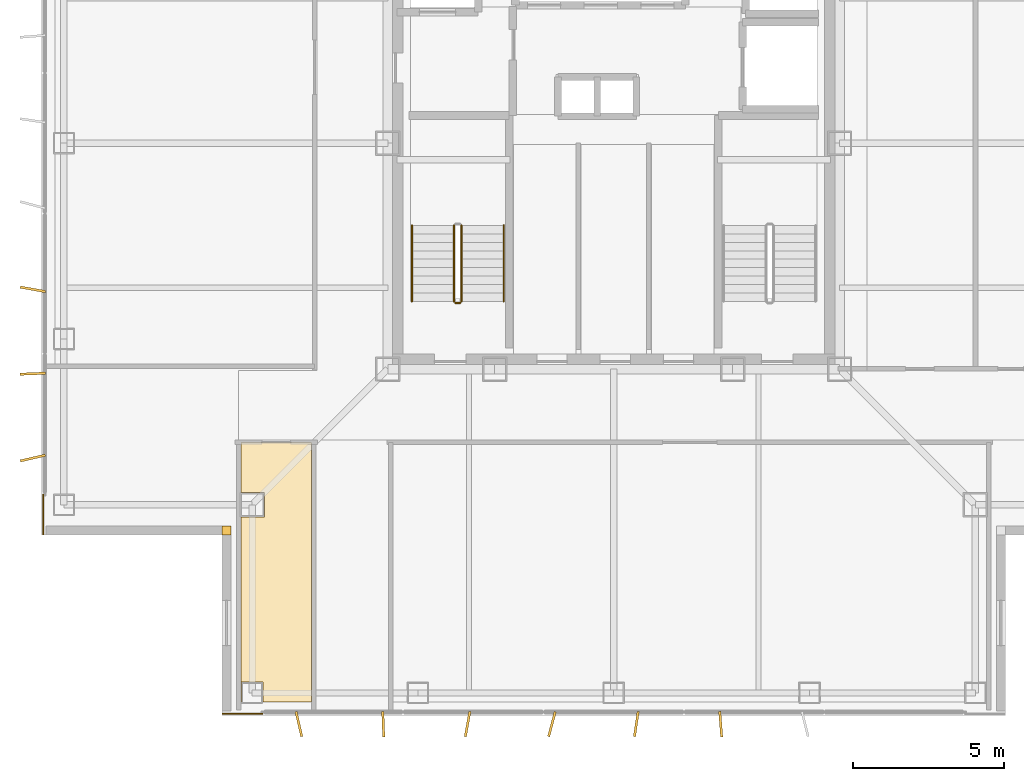
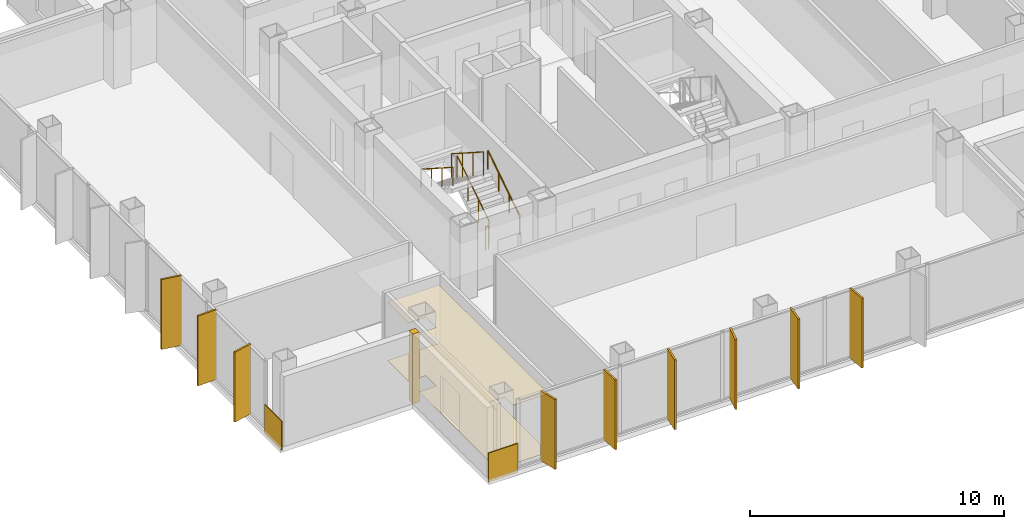
# One storey, part 10 of 15: 9 shading devices, 5 coverings, 5 railings.
"""IFC4 building model written with IfcOpenShell, lengths in metres."""

from ifc_helpers import new_model, si_unit, direction, frame, frame_2d, origin, origin_2d, place, context, subcontext, project, spatial, polyline, rectangle, circle, outline, extrude, material, layer, layer_set, type_object, element, save


model = new_model("IFC4")

# Units and contexts
model_context = context("Model", 3, precision=1e-05, world=origin(), true_north=direction((0.0, 1.0)))
body_context = subcontext(model_context, "Body", "Model", "MODEL_VIEW")
ifc_project = project(units=[si_unit("LENGTHUNIT", "METRE"), si_unit("AREAUNIT", "SQUARE_METRE"), si_unit("VOLUMEUNIT", "CUBIC_METRE"), si_unit("PLANEANGLEUNIT", "RADIAN"), si_unit("MASSUNIT", "GRAM", prefix="KILO")], contexts=[model_context])

# Site, building, storey
site_placement = place(None, origin())
site = spatial("IfcSite", under=ifc_project, at=site_placement, CompositionType="ELEMENT")
building_placement = place(site_placement, origin())
building = spatial("IfcBuilding", under=site, at=building_placement, Name="Trevonay Congress Spire", CompositionType="ELEMENT")
storey_placement = place(building_placement, frame((0.0, 0.0, 250.39990234375)))
storey = spatial("IfcBuildingStorey", under=building, at=storey_placement, Name="L65", CompositionType="ELEMENT", Elevation=250.39990234375)

# Coverings
ifc_material_1 = material(Name="Acoustic Mineral Fibre Board", Category="gypsum")
ifc_layer_1 = layer(ifc_material_1, 0.02490234375, Name="Acoustic Mineral Fibre Board")
ifc_layer_set_1 = layer_set([ifc_layer_1], Name="Acoustic Mineral Fibre Board")
covering_type_1 = type_object("IfcCoveringType", Name="COV-CEIL-ACOUSTIC", PredefinedType="CEILING", material=ifc_layer_set_1)
covering_1_placement = place(storey_placement, frame((0.0, 0.0, 2.81005859375)))
element("IfcCovering", 1, at=covering_1_placement, inside=storey, type_object=covering_type_1, Name="L65 Secretary-General Green Room acoustic suspended ceiling", PredefinedType="CEILING", context=body_context, shape_type="SweptSolid", body=[
    extrude(outline(polyline([(-12.3701171875, -18.550048828125), (-12.3701171875, -12.409912109375), (-11.590087890625, -12.409912109375), (-11.590087890625, -11.590087890625), (-12.3701171875, -11.590087890625), (-12.3701171875, -9.929931640625), (-10.030029296875, -9.929931640625), (-10.030029296875, -18.550048828125), (-11.639892578125, -18.550048828125), (-11.639892578125, -17.889892578125), (-12.360107421875, -17.889892578125), (-12.360107421875, -18.550048828125), (-12.3701171875, -18.550048828125)])), origin(), (0.0, 0.0, 1.0), 0.025146484375),
])
ifc_material_2 = material(Name="Engineered Oak Flooring", Category="wood")
ifc_layer_2 = layer(ifc_material_2, 0.01806640625, Name="Engineered Oak Flooring")
ifc_layer_set_2 = layer_set([ifc_layer_2], Name="Engineered Oak Flooring")
covering_type_2 = type_object("IfcCoveringType", Name="COV-FLOOR-TIMBER", PredefinedType="FLOORING", material=ifc_layer_set_2)
covering_2_placement = place(storey_placement, origin())
element("IfcCovering", 2, at=covering_2_placement, inside=storey, type_object=covering_type_2, Name="L65 Secretary-General Green Room floor finish", PredefinedType="FLOORING", context=body_context, shape_type="SweptSolid", body=[
    extrude(outline(polyline([(-12.3701171875, -18.550048828125), (-12.3701171875, -12.409912109375), (-11.590087890625, -12.409912109375), (-11.590087890625, -11.590087890625), (-12.3701171875, -11.590087890625), (-12.3701171875, -9.929931640625), (-10.030029296875, -9.929931640625), (-10.030029296875, -18.550048828125), (-11.639892578125, -18.550048828125), (-11.639892578125, -17.889892578125), (-12.360107421875, -17.889892578125), (-12.360107421875, -18.550048828125), (-12.3701171875, -18.550048828125)])), origin(), (0.0, 0.0, 1.0), 0.01806640625),
])
ifc_material_3 = material(Name="Pale Anodised Aluminium EN AW-6063-T6", Category="aluminium")
ifc_layer_3 = layer(ifc_material_3, 0.0400390625, Name="Pale Anodised Aluminium EN AW-6063-T6")
ifc_layer_set_3 = layer_set([ifc_layer_3], Name="Pale Anodised Aluminium EN AW-6063-T6")
covering_type_3 = type_object("IfcCoveringType", Name="COV-SPANDREL-PALE-METAL", PredefinedType="CLADDING", material=ifc_layer_set_3)
covering_3_placement = place(storey_placement, origin())
element("IfcCovering", 3, at=covering_3_placement, inside=storey, type_object=covering_type_3, Name="L65 SW re-entrant notch corner closure trim", PredefinedType="CLADDING", context=body_context, shape_type="SweptSolid", body=[
    extrude(outline(polyline([(-13.0, -13.0), (-12.699951171875, -13.0), (-12.699951171875, -12.699951171875), (-13.0, -12.699951171875), (-13.0, -13.0)])), origin(), (0.0, 0.0, 1.0), 3.360107421875),
])
for number, where, z_axis, x_axis, name in (
    (4, (-18.93994140625, -11.64990234375, -0.14990234375), (0.0, 0.0, 1.0), (0.0, -1.0, 0.0), "L65 SW corner pier spandrel cladding 1"),
    (5, (-11.64990234375, -18.93994140625, -0.14990234375), (0.0, 0.0, 1.0), (-1.0, 0.0, 0.0), "L65 SW corner pier spandrel cladding 2"),
):
    element("IfcCovering", number, at=place(storey_placement, frame(where, z_axis=z_axis, x_axis=x_axis)), inside=storey, type_object=covering_type_3, Name=name, PredefinedType="CLADDING", context=body_context, shape_type="SweptSolid", body=[
        extrude(rectangle(XDim=1.35009765625, YDim=0.0400390625, at=frame_2d((0.675048828125, 0.0))), origin(), (0.0, 0.0, 1.0), 1.39990234375),
    ])

# Railings
railing_type_1 = type_object("IfcRailingType", Name="RAL-STAIR-GUARD-110", PredefinedType="GUARDRAIL", material=ifc_material_3)
railing_1_placement = place(storey_placement, frame((-5.050048828125, -5.25, 0.18017578125)))
element("IfcRailing", 6, at=railing_1_placement, inside=storey, type_object=railing_type_1, Name="L65 ST-1 stair guard 1", PredefinedType="GUARDRAIL", context=body_context, shape_type="SweptSolid", body=[
    extrude(circle(Radius=0.02392578125, at=origin_2d()), frame((0.0, 0.0, 1.1259765625), z_axis=(0.0, 0.841199657755, 0.540724639528), x_axis=(-1.0, 0.0, 0.0)), (0.0, 0.0, 1.0), 2.995849609375),
    extrude(circle(Radius=0.02099609375, at=origin_2d()), origin(), (0.0, 0.0, 1.0), 1.101806640625),
    extrude(circle(Radius=0.02099609375, at=origin_2d()), frame((0.0, 0.840087890625, 0.5400390625)), (0.0, 0.0, 1.0), 1.101806640625),
    extrude(circle(Radius=0.02099609375, at=origin_2d()), frame((0.0, 1.679931640625, 1.079833984375)), (0.0, 0.0, 1.0), 1.101806640625),
    extrude(circle(Radius=0.02099609375, at=origin_2d()), frame((0.0, 2.52001953125, 1.619873046875)), (0.0, 0.0, 1.0), 1.101806640625),
])
railing_2_placement = place(storey_placement, frame((-5.300048828125, -2.72998046875, 1.97998046875)))
element("IfcRailing", 7, at=railing_2_placement, inside=storey, type_object=railing_type_1, Name="L65 ST-1 stair guard 3", PredefinedType="GUARDRAIL", context=body_context, shape_type="SweptSolid", body=[
    extrude(circle(Radius=0.02392578125, at=origin_2d()), frame((0.0, 0.0, 1.1259765625), z_axis=(0.0, -0.841162588446, 0.540782303519), x_axis=(1.0, 0.0, 0.0)), (0.0, 0.0, 1.0), 2.995849609375),
    extrude(circle(Radius=0.02099609375, at=origin_2d()), origin(), (0.0, 0.0, 1.0), 1.101806640625),
    extrude(circle(Radius=0.02099609375, at=origin_2d()), frame((0.0, -0.840087890625, 0.5400390625)), (0.0, 0.0, 1.0), 1.101806640625),
    extrude(circle(Radius=0.02099609375, at=origin_2d()), frame((0.0, -1.679931640625, 1.080078125)), (0.0, 0.0, 1.0), 1.101806640625),
    extrude(circle(Radius=0.02099609375, at=origin_2d()), frame((0.0, -2.52001953125, 1.6201171875)), (0.0, 0.0, 1.0), 1.101806640625),
])
railing_3_placement = place(storey_placement, frame((-5.10009765625, -5.300048828125, 0.0)))
element("IfcRailing", 8, at=railing_3_placement, inside=storey, type_object=railing_type_1, Name="L65 ST-1 stair guard 4", PredefinedType="GUARDRAIL", context=body_context, shape_type="SweptSolid", body=[
    extrude(circle(Radius=0.02392578125, at=origin_2d()), frame((0.0, 0.0, 1.1259765625), z_axis=(-1.0, 0.0, 0.0), x_axis=(0.0, -1.0, 0.0)), (0.0, 0.0, 1.0), 0.14990234375),
    extrude(circle(Radius=0.02099609375, at=origin_2d()), origin(), (0.0, 0.0, 1.0), 1.101806640625),
    extrude(circle(Radius=0.02099609375, at=origin_2d()), frame((-0.14990234375, 0.0, 0.0)), (0.0, 0.0, 1.0), 1.101806640625),
])
railing_type_2 = type_object("IfcRailingType", Name="RAL-STAIR-HANDRAIL", PredefinedType="HANDRAIL", material=ifc_material_3)
railing_4_placement = place(storey_placement, frame((-3.64990234375, -5.25, 0.18017578125)))
element("IfcRailing", 9, at=railing_4_placement, inside=storey, type_object=railing_type_2, Name="L65 ST-1 stair handrail 1", PredefinedType="HANDRAIL", context=body_context, shape_type="SweptSolid", body=[
    extrude(circle(Radius=0.02392578125, at=origin_2d()), frame((0.0, 0.0, 0.8759765625), z_axis=(0.0, 0.841199657755, 0.540724639528), x_axis=(-1.0, 0.0, 0.0)), (0.0, 0.0, 1.0), 2.995849609375),
    extrude(circle(Radius=0.02099609375, at=origin_2d()), origin(), (0.0, 0.0, 1.0), 0.851806640625),
    extrude(circle(Radius=0.02099609375, at=origin_2d()), frame((0.0, 0.840087890625, 0.5400390625)), (0.0, 0.0, 1.0), 0.851806640625),
    extrude(circle(Radius=0.02099609375, at=origin_2d()), frame((0.0, 1.679931640625, 1.079833984375)), (0.0, 0.0, 1.0), 0.851806640625),
    extrude(circle(Radius=0.02099609375, at=origin_2d()), frame((0.0, 2.52001953125, 1.619873046875)), (0.0, 0.0, 1.0), 0.851806640625),
])
railing_5_placement = place(storey_placement, frame((-6.699951171875, -2.72998046875, 1.97998046875)))
element("IfcRailing", 10, at=railing_5_placement, inside=storey, type_object=railing_type_2, Name="L65 ST-1 stair handrail 2", PredefinedType="HANDRAIL", context=body_context, shape_type="SweptSolid", body=[
    extrude(circle(Radius=0.02392578125, at=origin_2d()), frame((0.0, 0.0, 0.8759765625), z_axis=(0.0, -0.841162588446, 0.540782303519), x_axis=(1.0, 0.0, 0.0)), (0.0, 0.0, 1.0), 2.995849609375),
    extrude(circle(Radius=0.02099609375, at=origin_2d()), origin(), (0.0, 0.0, 1.0), 0.851806640625),
    extrude(circle(Radius=0.02099609375, at=origin_2d()), frame((0.0, -0.840087890625, 0.5400390625)), (0.0, 0.0, 1.0), 0.851806640625),
    extrude(circle(Radius=0.02099609375, at=origin_2d()), frame((0.0, -1.679931640625, 1.080078125)), (0.0, 0.0, 1.0), 0.851806640625),
    extrude(circle(Radius=0.02099609375, at=origin_2d()), frame((0.0, -2.52001953125, 1.6201171875)), (0.0, 0.0, 1.0), 0.851806640625),
])

# Shading devices
shading_device_type = type_object("IfcShadingDeviceType", Name="SHD-FIN-Z4-PALE-METAL", PredefinedType="USERDEFINED", material=ifc_material_3)
for number, where, z_axis, x_axis, name in (
    (11, (-10.449951171875, -19.280029296875, 0.0), (0.0, 0.0, 1.0), (0.97440931131, 0.224780991261, 0.0), "L65 S vertical pale-metal solar fin 1"),
    (12, (-7.64990234375, -19.280029296875, 0.0), (0.0, 0.0, 1.0), (0.999235873152, 0.039085416795, 0.0), "L65 S vertical pale-metal solar fin 2"),
    (13, (-4.85009765625, -19.280029296875, 0.0), (0.0, 0.0, 1.0), (0.984195607969, -0.17708474032, 0.0), "L65 S vertical pale-metal solar fin 3"),
    (14, (-2.050048828125, -19.280029296875, 0.0), (0.0, 0.0, 1.0), (0.966106280664, -0.258144638645, 0.0), "L65 S vertical pale-metal solar fin 4"),
    (15, (0.75, -19.280029296875, 0.0), (0.0, 0.0, 1.0), (0.989144474801, -0.146946275799, 0.0), "L65 S vertical pale-metal solar fin 5"),
    (16, (3.550048828125, -19.280029296875, 0.0), (0.0, 0.0, 1.0), (0.997025911491, 0.077067060513, 0.0), "L65 S vertical pale-metal solar fin 6"),
    (17, (-19.280029296875, -10.449951171875, 0.0), (0.0, 0.0, 1.0), (-0.224780991261, 0.97440931131, 0.0), "L65 W vertical pale-metal solar fin 1"),
    (18, (-19.280029296875, -7.64990234375, 0.0), (0.0, 0.0, 1.0), (-0.039085416795, 0.999235873152, 0.0), "L65 W vertical pale-metal solar fin 2"),
    (19, (-19.280029296875, -4.85009765625, 0.0), (0.0, 0.0, 1.0), (0.17708474032, 0.984195607969, 0.0), "L65 W vertical pale-metal solar fin 3"),
):
    element("IfcShadingDevice", number, at=place(storey_placement, frame(where, z_axis=z_axis, x_axis=x_axis)), inside=storey, type_object=shading_device_type, Name=name, ObjectType="SOLAR FIN", PredefinedType="USERDEFINED", context=body_context, shape_type="SweptSolid", body=[
        extrude(rectangle(XDim=0.080078125, YDim=0.85009765625, at=origin_2d()), origin(), (0.0, 0.0, 1.0), 3.360107421875),
    ])

save(model, "model.ifc")
